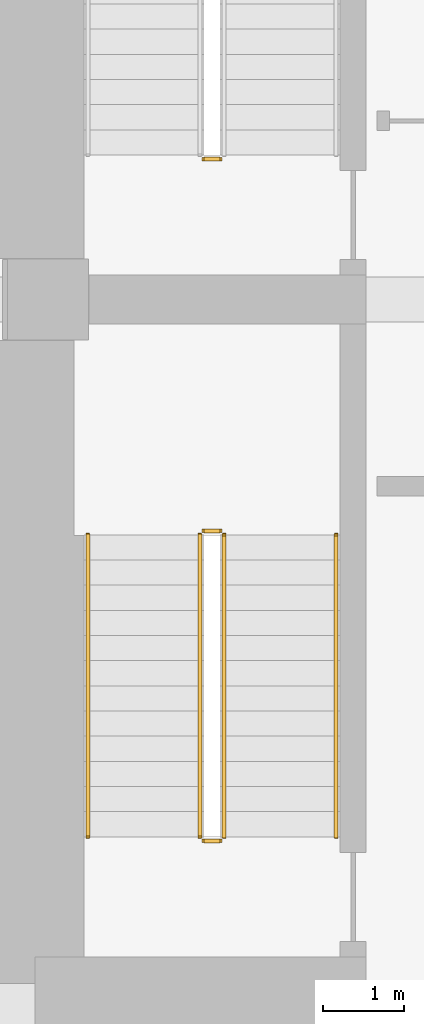
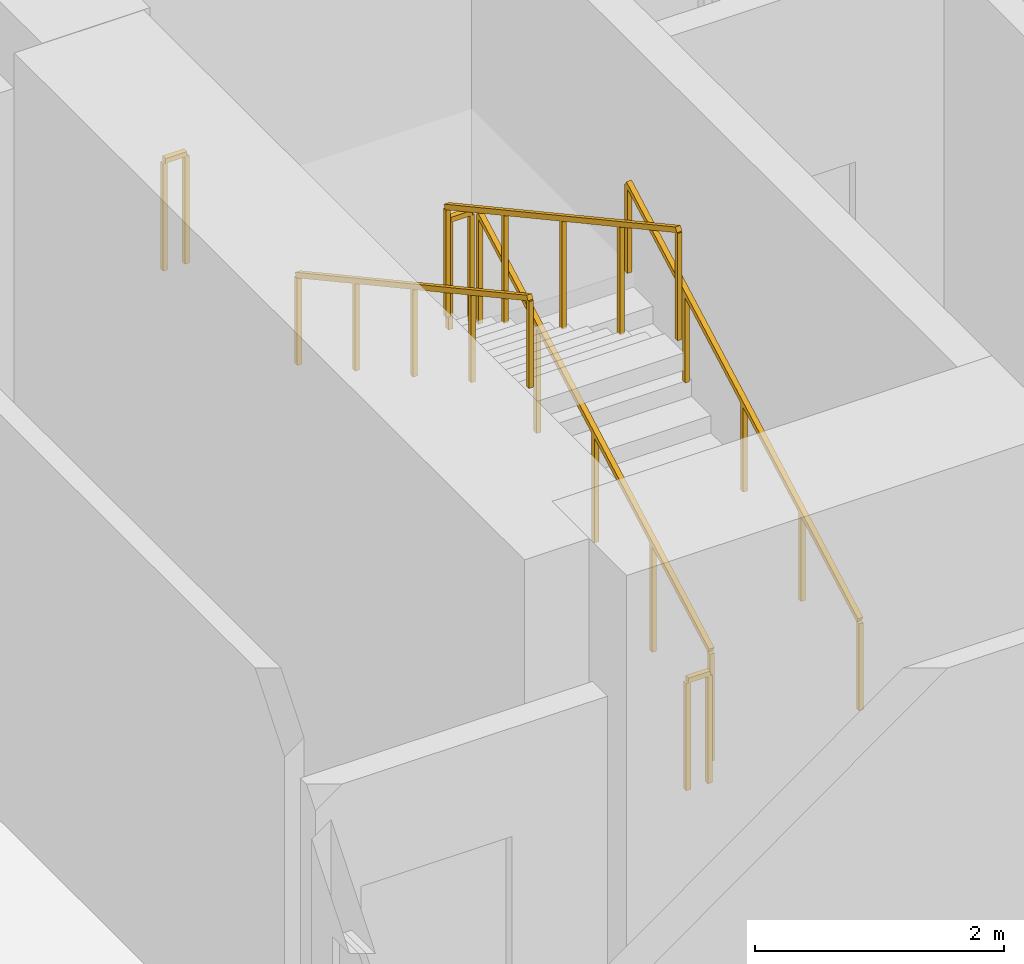
# One storey, part 19 of 22: 7 railings.
"""IFC4 building model written with IfcOpenShell, lengths in metres."""

import ifcopenshell
import ifcopenshell.guid

model = None  # the IFC model being written
_history = None  # IfcOwnerHistory: only IFC2X3 demands one
_inside = {}  # id of a spatial element -> (the spatial element, [elements in it])
_under = {}  # id of a project, library or spatial element -> (it, [spatial elements below it])
_declared = {}  # id of a project -> (the project, [libraries it declares])
_typed = {}  # id of a type object -> (the type object, [elements of that type])
_made_of = {}  # id of a material, layer set ... -> (it, [elements and type objects made of it])


def new_model(schema):
    """Start an empty IFC model of exactly this schema.

    Asked for "IFC4X3", IfcOpenShell would pick the latest addendum, in which some entities
    have other attributes; the version numbers below select the first issue.
    IFC2X3 requires an IfcOwnerHistory on every rooted entity: one is made here for all.
    """
    global model, _history
    if schema == "IFC4X3":
        model = ifcopenshell.file(schema_version=(4, 3, 0, 0))
    else:
        model = ifcopenshell.file(schema=schema)
    _inside.clear()
    _under.clear()
    _declared.clear()
    _typed.clear()
    _made_of.clear()
    _history = None
    if model.schema == "IFC2X3":
        org = make("IfcOrganization", Name="unknown")
        user = make(
            "IfcPersonAndOrganization",
            ThePerson=make("IfcPerson", FamilyName="unknown"),
            TheOrganization=org,
        )
        app = make(
            "IfcApplication",
            ApplicationDeveloper=org,
            Version="unknown",
            ApplicationFullName="unknown",
            ApplicationIdentifier="unknown",
        )
        _history = make(
            "IfcOwnerHistory",
            OwningUser=user,
            OwningApplication=app,
            ChangeAction="ADDED",
            CreationDate=0,
        )
    return model


def make(cls, **values):
    """One entity of the class cls with the attributes given. An attribute that is None is left unset."""
    return model.create_entity(
        cls, **{name: value for name, value in values.items() if value is not None}
    )


def rooted(cls, **values):
    """An entity with a GlobalId (a new one), such as an element, a storey or a relation."""
    return make(cls, GlobalId=ifcopenshell.guid.new(), OwnerHistory=_history, **values)


def si_unit(unit_type, name, prefix=None):
    """IfcSIUnit, for example si_unit("LENGTHUNIT", "METRE", prefix="MILLI")."""
    return make("IfcSIUnit", UnitType=unit_type, Prefix=prefix, Name=name)


def assignment(units):
    """IfcUnitAssignment: the units of a project."""
    return None if units is None else make("IfcUnitAssignment", Units=units)


def point(xyz):
    """IfcCartesianPoint."""
    return None if xyz is None else make("IfcCartesianPoint", Coordinates=xyz)


def direction(xyz):
    """IfcDirection."""
    return None if xyz is None else make("IfcDirection", DirectionRatios=xyz)


def frame(location, z_axis=None, x_axis=None):
    """IfcAxis2Placement3D, a coordinate frame: its origin and axes. An axis left out is left unset."""
    return make(
        "IfcAxis2Placement3D",
        Location=point(location),
        Axis=direction(z_axis),
        RefDirection=direction(x_axis),
    )


def frame_2d(location, x_axis=None):
    """IfcAxis2Placement2D, a coordinate frame in the plane: its origin and x axis."""
    return make(
        "IfcAxis2Placement2D", Location=point(location), RefDirection=direction(x_axis)
    )


def origin():
    """The frame at (0, 0, 0) with its axes left unset."""
    return frame((0.0, 0.0, 0.0))


def origin_2d():
    """The frame at (0, 0) in the plane with its x axis left unset."""
    return frame_2d((0.0, 0.0))


def place(relative_to, where):
    """IfcLocalPlacement: puts the frame where relative to a parent placement (None: the world)."""
    return make(
        "IfcLocalPlacement", PlacementRelTo=relative_to, RelativePlacement=where
    )


def context(
    kind, dimensions, precision=None, world=None, true_north=None, identifier=None
):
    """IfcGeometricRepresentationContext, for example the 3D "Model" context."""
    return make(
        "IfcGeometricRepresentationContext",
        ContextIdentifier=identifier,
        ContextType=kind,
        CoordinateSpaceDimension=dimensions,
        Precision=precision,
        WorldCoordinateSystem=world,
        TrueNorth=true_north,
    )


def subcontext(parent, identifier, kind, view, scale=None):
    """IfcGeometricRepresentationSubContext, for example "Body" below "Model"."""
    return make(
        "IfcGeometricRepresentationSubContext",
        ContextIdentifier=identifier,
        ContextType=kind,
        ParentContext=parent,
        TargetScale=scale,
        TargetView=view,
    )


def project(units=None, contexts=None):
    """IfcProject with its units and contexts."""
    return rooted(
        "IfcProject",
        Name="project",
        RepresentationContexts=contexts,
        UnitsInContext=assignment(units),
    )


def spatial(cls, under=None, at=None, **own):
    """A site, building, storey or space (cls), placed at a placement, below another one or the project."""
    s = rooted(cls, ObjectPlacement=at, **own)
    if under is not None:
        _under.setdefault(under.id(), (under, []))[1].append(s)
    return s


def profile(cls, at=None, kind="AREA", **sizes):
    """A parametric profile (cls). Its sizes go by their IFC names, for example OverallWidth=200.0."""
    return make(cls, ProfileType=kind, Position=at, **sizes)


def rectangle(**sizes):
    """IfcRectangleProfileDef."""
    return profile("IfcRectangleProfileDef", **sizes)


def extrude(swept, where, along, depth):
    """IfcExtrudedAreaSolid: the profile swept, set in the frame where, extruded along a direction by depth."""
    return make(
        "IfcExtrudedAreaSolid",
        SweptArea=swept,
        Position=where,
        ExtrudedDirection=direction(along),
        Depth=depth,
    )


def shape(context_of_items, identifier, shape_type, items):
    """IfcShapeRepresentation: the items that make up one representation, for example the "Body"."""
    return make(
        "IfcShapeRepresentation",
        ContextOfItems=context_of_items,
        RepresentationIdentifier=identifier,
        RepresentationType=shape_type,
        Items=items,
    )


def material(Name=None, Category=None):
    """IfcMaterial."""
    return make("IfcMaterial", Name=Name, Category=Category)


def made_of(thing, what):
    """Note that an element or type object is made of a material, layer set ...; save() writes the relation."""
    if what is not None:
        _made_of.setdefault(what.id(), (what, []))[1].append(thing)
    return thing


def type_object(cls, material=None, **own):
    """A type object (cls), such as IfcWallType, which elements share."""
    return made_of(rooted(cls, **own), material)


def element(
    cls,
    number,
    at=None,
    inside=None,
    cuts=None,
    type_object=None,
    material=None,
    context=None,
    identifier="Body",
    shape_type=None,
    held_by="IfcProductDefinitionShape",
    body=None,
    shapes=None,
    **own,
):
    """One element of the class cls, such as IfcWall. Its Tag is "e" and its number.

    at: its placement. inside: the storey or other place that contains it. cuts: it is an
    opening in that element (IfcRelVoidsElement). A single representation is given by context,
    identifier, shape_type and body (its items); several are given by shapes. held_by: the class
    of the entity that holds the representations. save() writes the other relations.
    """
    e = rooted(cls, Tag="e%d" % number, ObjectPlacement=at, **own)
    if body is not None:
        shapes = [shape(context, identifier, shape_type, body)]
    if shapes is not None:
        e.Representation = make(held_by, Representations=shapes)
    if inside is not None:
        _inside.setdefault(inside.id(), (inside, []))[1].append(e)
    if cuts is not None:
        rooted(
            "IfcRelVoidsElement", RelatingBuildingElement=cuts, RelatedOpeningElement=e
        )
    if type_object is not None:
        _typed.setdefault(type_object.id(), (type_object, []))[1].append(e)
    return made_of(e, material)


def aggregate(whole, parts):
    """IfcRelAggregates: a whole, such as a stair, and the parts it consists of."""
    return rooted("IfcRelAggregates", RelatingObject=whole, RelatedObjects=parts)


def save(model, path):
    """Write the relations noted so far, then the file.

    IfcRelAggregates (storeys below a building ...), IfcRelContainedInSpatialStructure (elements
    in a storey), IfcRelDefinesByType, IfcRelAssociatesMaterial and IfcRelDeclares: one each for
    every whole, place, type object, material and project.
    """
    for whole, parts in _under.values():
        aggregate(whole, parts)
    for where, things in _inside.values():
        rooted(
            "IfcRelContainedInSpatialStructure",
            RelatedElements=things,
            RelatingStructure=where,
        )
    for kind, things in _typed.values():
        rooted("IfcRelDefinesByType", RelatedObjects=things, RelatingType=kind)
    for what, things in _made_of.values():
        rooted("IfcRelAssociatesMaterial", RelatedObjects=things, RelatingMaterial=what)
    for by, libraries in _declared.values():
        rooted("IfcRelDeclares", RelatingContext=by, RelatedDefinitions=libraries)
    model.write(path)


model = new_model("IFC4")

# Units and contexts
model_context = context("Model", 3, precision=1e-05, world=origin(), true_north=direction((0.0, 1.0)))
body_context = subcontext(model_context, "Body", "Model", "MODEL_VIEW")
ifc_project = project(units=[si_unit("LENGTHUNIT", "METRE"), si_unit("AREAUNIT", "SQUARE_METRE"), si_unit("VOLUMEUNIT", "CUBIC_METRE"), si_unit("PLANEANGLEUNIT", "RADIAN"), si_unit("MASSUNIT", "GRAM", prefix="KILO")], contexts=[model_context])

# Site, building, storey
site_placement = place(None, origin())
site = spatial("IfcSite", under=ifc_project, at=site_placement, CompositionType="ELEMENT")
building_placement = place(site_placement, origin())
building = spatial("IfcBuilding", under=site, at=building_placement, Name="Solanera Arch Residences", CompositionType="ELEMENT")
storey_placement = place(building_placement, frame((0.0, 0.0, -4.39990234375)))
storey = spatial("IfcBuildingStorey", under=building, at=storey_placement, Name="B01", CompositionType="ELEMENT", Elevation=-4.39990234375)

# Railings
ifc_material_1 = material(Name="Steel S355 (ASTM A992 / A572 Grade 50)", Category="steel")
railing_type_1 = type_object("IfcRailingType", Name="Stair Guardrail GR-1100", PredefinedType="GUARDRAIL", material=ifc_material_1)
railing_1_placement = place(storey_placement, frame((15.52001953125, 32.429931640625, -0.01513671875)))
element("IfcRailing", 1, at=railing_1_placement, inside=storey, type_object=railing_type_1, Name="B01 ST-T1 stair guard 4", PredefinedType="GUARDRAIL", context=body_context, shape_type="SweptSolid", body=[
    extrude(rectangle(XDim=0.048095703125, YDim=0.048095703125, at=origin_2d()), frame((0.0, 0.0, 1.076171875), z_axis=(-1.0, 0.0, 0.0), x_axis=(0.0, -1.0, 0.0)), (0.0, 0.0, 1.0), 0.199951171875),
    extrude(rectangle(XDim=0.0419921875, YDim=0.0419921875, at=origin_2d()), origin(), (0.0, 0.0, 1.0), 1.052001953125),
    extrude(rectangle(XDim=0.0419921875, YDim=0.0419921875, at=origin_2d()), frame((-0.199951171875, 0.0, 0.0)), (0.0, 0.0, 1.0), 1.052001953125),
])
railing_2_placement = place(storey_placement, frame((15.570068359375, 24.080078125, 0.154052734375)))
element("IfcRailing", 2, at=railing_2_placement, inside=storey, type_object=railing_type_1, Name="B01 ST-T3 stair guard 1", PredefinedType="GUARDRAIL", context=body_context, shape_type="SweptSolid", body=[
    extrude(rectangle(XDim=0.048095703125, YDim=0.048095703125, at=origin_2d()), frame((0.0, 0.0, 1.076171875), z_axis=(0.0, 0.877728207833, 0.479158839191), x_axis=(-1.0, 0.0, 0.0)), (0.0, 0.0, 1.0), 4.23828125),
    extrude(rectangle(XDim=0.0419921875, YDim=0.0419921875, at=origin_2d()), origin(), (0.0, 0.0, 1.0), 1.052001953125),
    extrude(rectangle(XDim=0.0419921875, YDim=0.0419921875, at=origin_2d()), frame((0.0, 0.929931640625, 0.5078125)), (0.0, 0.0, 1.0), 1.052001953125),
    extrude(rectangle(XDim=0.0419921875, YDim=0.0419921875, at=origin_2d()), frame((0.0, 1.85986328125, 1.015380859375)), (0.0, 0.0, 1.0), 1.052001953125),
    extrude(rectangle(XDim=0.0419921875, YDim=0.0419921875, at=origin_2d()), frame((0.0, 2.7900390625, 1.52294921875)), (0.0, 0.0, 1.0), 1.052001953125),
    extrude(rectangle(XDim=0.0419921875, YDim=0.0419921875, at=origin_2d()), frame((0.0, 3.719970703125, 2.03076171875)), (0.0, 0.0, 1.0), 1.052001953125),
])
railing_3_placement = place(storey_placement, frame((15.52001953125, 27.85009765625, 2.184814453125)))
element("IfcRailing", 3, at=railing_3_placement, inside=storey, type_object=railing_type_1, Name="B01 ST-T3 stair guard 2", PredefinedType="GUARDRAIL", context=body_context, shape_type="SweptSolid", body=[
    extrude(rectangle(XDim=0.048095703125, YDim=0.048095703125, at=origin_2d()), frame((0.0, 0.0, 1.076171875), z_axis=(-1.0, 0.0, 0.0), x_axis=(0.0, -1.0, 0.0)), (0.0, 0.0, 1.0), 0.199951171875),
    extrude(rectangle(XDim=0.0419921875, YDim=0.0419921875, at=origin_2d()), origin(), (0.0, 0.0, 1.0), 1.052001953125),
    extrude(rectangle(XDim=0.0419921875, YDim=0.0419921875, at=origin_2d()), frame((-0.199951171875, 0.0, 0.0)), (0.0, 0.0, 1.0), 1.052001953125),
])
railing_4_placement = place(storey_placement, frame((15.27001953125, 27.800048828125, 2.35400390625)))
element("IfcRailing", 4, at=railing_4_placement, inside=storey, type_object=railing_type_1, Name="B01 ST-T3 stair guard 3", PredefinedType="GUARDRAIL", context=body_context, shape_type="SweptSolid", body=[
    extrude(rectangle(XDim=0.048095703125, YDim=0.048095703125, at=origin_2d()), frame((0.0, 0.0, 1.076171875), z_axis=(0.0, -0.877703980351, 0.479203216679), x_axis=(1.0, 0.0, 0.0)), (0.0, 0.0, 1.0), 4.23828125),
    extrude(rectangle(XDim=0.0419921875, YDim=0.0419921875, at=origin_2d()), origin(), (0.0, 0.0, 1.0), 1.052001953125),
    extrude(rectangle(XDim=0.0419921875, YDim=0.0419921875, at=origin_2d()), frame((0.0, -0.929931640625, 0.5078125)), (0.0, 0.0, 1.0), 1.052001953125),
    extrude(rectangle(XDim=0.0419921875, YDim=0.0419921875, at=origin_2d()), frame((0.0, -1.85986328125, 1.015625)), (0.0, 0.0, 1.0), 1.052001953125),
    extrude(rectangle(XDim=0.0419921875, YDim=0.0419921875, at=origin_2d()), frame((0.0, -2.7900390625, 1.523193359375)), (0.0, 0.0, 1.0), 1.052001953125),
    extrude(rectangle(XDim=0.0419921875, YDim=0.0419921875, at=origin_2d()), frame((0.0, -3.719970703125, 2.031005859375)), (0.0, 0.0, 1.0), 1.052001953125),
])
railing_5_placement = place(storey_placement, frame((15.52001953125, 24.030029296875, -0.01513671875)))
element("IfcRailing", 5, at=railing_5_placement, inside=storey, type_object=railing_type_1, Name="B01 ST-T3 stair guard 4", PredefinedType="GUARDRAIL", context=body_context, shape_type="SweptSolid", body=[
    extrude(rectangle(XDim=0.048095703125, YDim=0.048095703125, at=origin_2d()), frame((0.0, 0.0, 1.076171875), z_axis=(-1.0, 0.0, 0.0), x_axis=(0.0, -1.0, 0.0)), (0.0, 0.0, 1.0), 0.199951171875),
    extrude(rectangle(XDim=0.0419921875, YDim=0.0419921875, at=origin_2d()), origin(), (0.0, 0.0, 1.0), 1.052001953125),
    extrude(rectangle(XDim=0.0419921875, YDim=0.0419921875, at=origin_2d()), frame((-0.199951171875, 0.0, 0.0)), (0.0, 0.0, 1.0), 1.052001953125),
])
ifc_material_2 = material(Name="Steel S355 (ASTM A992 / A572 Grade 50)", Category="steel")
railing_type_2 = type_object("IfcRailingType", Name="Stair Wall Handrail HR-920", PredefinedType="HANDRAIL", material=ifc_material_2)
railing_6_placement = place(storey_placement, frame((16.949951171875, 24.080078125, 0.169189453125)))
element("IfcRailing", 6, at=railing_6_placement, inside=storey, type_object=railing_type_2, Name="B01 ST-T3 stair handrail 1", PredefinedType="HANDRAIL", context=body_context, shape_type="SweptSolid", body=[
    extrude(rectangle(XDim=0.048095703125, YDim=0.048095703125, at=origin_2d()), frame((0.0, 0.0, 0.8759765625), z_axis=(0.0, 0.877728207833, 0.479158839191), x_axis=(-1.0, 0.0, 0.0)), (0.0, 0.0, 1.0), 4.23828125),
    extrude(rectangle(XDim=0.0419921875, YDim=0.0419921875, at=origin_2d()), origin(), (0.0, 0.0, 1.0), 0.851806640625),
    extrude(rectangle(XDim=0.0419921875, YDim=0.0419921875, at=origin_2d()), frame((0.0, 0.929931640625, 0.5078125)), (0.0, 0.0, 1.0), 0.851806640625),
    extrude(rectangle(XDim=0.0419921875, YDim=0.0419921875, at=origin_2d()), frame((0.0, 1.85986328125, 1.015380859375)), (0.0, 0.0, 1.0), 0.851806640625),
    extrude(rectangle(XDim=0.0419921875, YDim=0.0419921875, at=origin_2d()), frame((0.0, 2.7900390625, 1.52294921875)), (0.0, 0.0, 1.0), 0.851806640625),
    extrude(rectangle(XDim=0.0419921875, YDim=0.0419921875, at=origin_2d()), frame((0.0, 3.719970703125, 2.03076171875)), (0.0, 0.0, 1.0), 0.851806640625),
])
railing_7_placement = place(storey_placement, frame((13.889892578125, 27.800048828125, 2.369140625)))
element("IfcRailing", 7, at=railing_7_placement, inside=storey, type_object=railing_type_2, Name="B01 ST-T3 stair handrail 2", PredefinedType="HANDRAIL", context=body_context, shape_type="SweptSolid", body=[
    extrude(rectangle(XDim=0.048095703125, YDim=0.048095703125, at=origin_2d()), frame((0.0, 0.0, 0.8759765625), z_axis=(0.0, -0.877728207833, 0.479158839191), x_axis=(1.0, 0.0, 0.0)), (0.0, 0.0, 1.0), 4.23828125),
    extrude(rectangle(XDim=0.0419921875, YDim=0.0419921875, at=origin_2d()), origin(), (0.0, 0.0, 1.0), 0.851806640625),
    extrude(rectangle(XDim=0.0419921875, YDim=0.0419921875, at=origin_2d()), frame((0.0, -0.929931640625, 0.5078125)), (0.0, 0.0, 1.0), 0.851806640625),
    extrude(rectangle(XDim=0.0419921875, YDim=0.0419921875, at=origin_2d()), frame((0.0, -1.85986328125, 1.015380859375)), (0.0, 0.0, 1.0), 0.851806640625),
    extrude(rectangle(XDim=0.0419921875, YDim=0.0419921875, at=origin_2d()), frame((0.0, -2.7900390625, 1.52294921875)), (0.0, 0.0, 1.0), 0.851806640625),
    extrude(rectangle(XDim=0.0419921875, YDim=0.0419921875, at=origin_2d()), frame((0.0, -3.719970703125, 2.03076171875)), (0.0, 0.0, 1.0), 0.851806640625),
])

save(model, "model.ifc")
